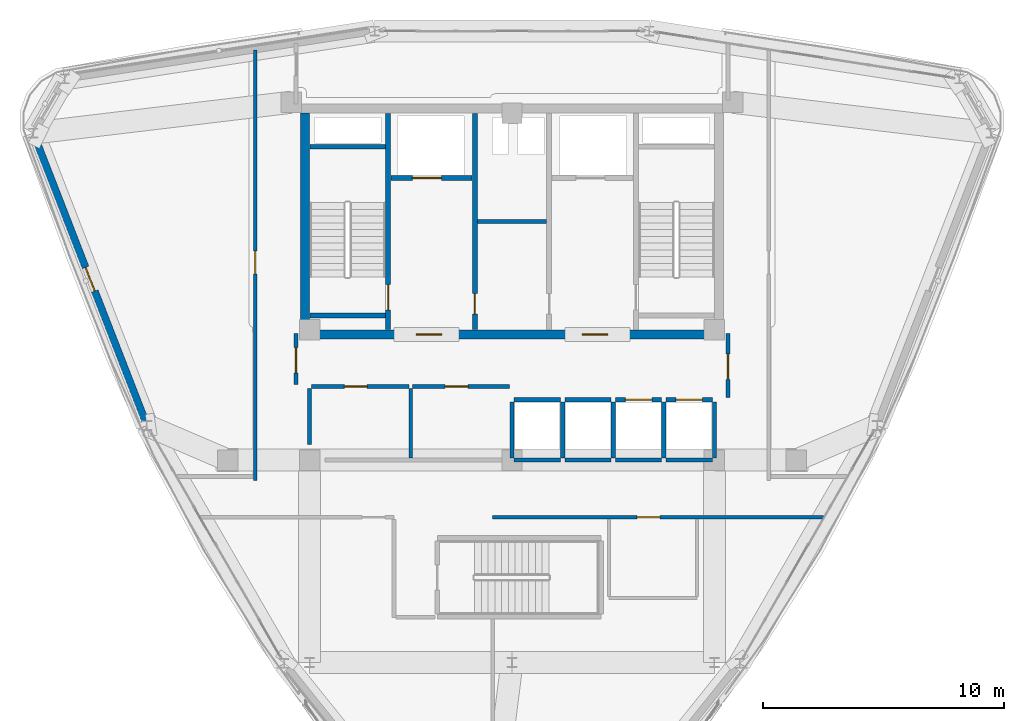
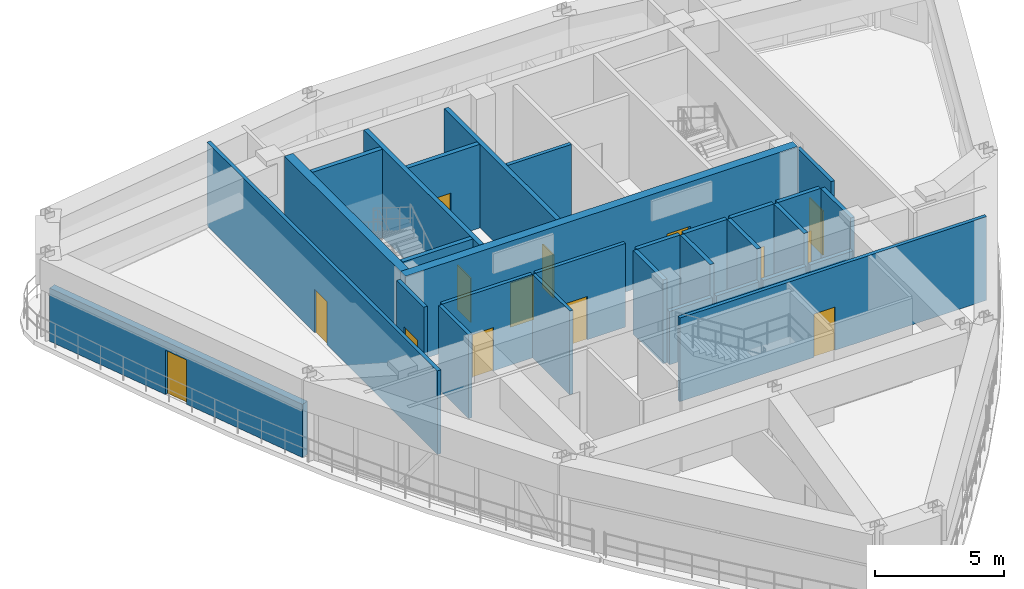
# One storey, part 13 of 18: 30 walls, 14 doors, 14 openings.
"""IFC4 building model written with IfcOpenShell, lengths in metres."""

import ifcopenshell
import ifcopenshell.guid

model = None  # the IFC model being written
_history = None  # IfcOwnerHistory: only IFC2X3 demands one
_inside = {}  # id of a spatial element -> (the spatial element, [elements in it])
_under = {}  # id of a project, library or spatial element -> (it, [spatial elements below it])
_declared = {}  # id of a project -> (the project, [libraries it declares])
_typed = {}  # id of a type object -> (the type object, [elements of that type])
_made_of = {}  # id of a material, layer set ... -> (it, [elements and type objects made of it])


def new_model(schema):
    """Start an empty IFC model of exactly this schema.

    Asked for "IFC4X3", IfcOpenShell would pick the latest addendum, in which some entities
    have other attributes; the version numbers below select the first issue.
    IFC2X3 requires an IfcOwnerHistory on every rooted entity: one is made here for all.
    """
    global model, _history
    if schema == "IFC4X3":
        model = ifcopenshell.file(schema_version=(4, 3, 0, 0))
    else:
        model = ifcopenshell.file(schema=schema)
    _inside.clear()
    _under.clear()
    _declared.clear()
    _typed.clear()
    _made_of.clear()
    _history = None
    if model.schema == "IFC2X3":
        org = make("IfcOrganization", Name="unknown")
        user = make(
            "IfcPersonAndOrganization",
            ThePerson=make("IfcPerson", FamilyName="unknown"),
            TheOrganization=org,
        )
        app = make(
            "IfcApplication",
            ApplicationDeveloper=org,
            Version="unknown",
            ApplicationFullName="unknown",
            ApplicationIdentifier="unknown",
        )
        _history = make(
            "IfcOwnerHistory",
            OwningUser=user,
            OwningApplication=app,
            ChangeAction="ADDED",
            CreationDate=0,
        )
    return model


def make(cls, **values):
    """One entity of the class cls with the attributes given. An attribute that is None is left unset."""
    return model.create_entity(
        cls, **{name: value for name, value in values.items() if value is not None}
    )


def rooted(cls, **values):
    """An entity with a GlobalId (a new one), such as an element, a storey or a relation."""
    return make(cls, GlobalId=ifcopenshell.guid.new(), OwnerHistory=_history, **values)


def si_unit(unit_type, name, prefix=None):
    """IfcSIUnit, for example si_unit("LENGTHUNIT", "METRE", prefix="MILLI")."""
    return make("IfcSIUnit", UnitType=unit_type, Prefix=prefix, Name=name)


def derived_unit(unit_type, elements):
    """IfcDerivedUnit: a product of units, each with its exponent."""
    return make(
        "IfcDerivedUnit",
        Elements=[
            make("IfcDerivedUnitElement", Unit=unit, Exponent=power)
            for unit, power in elements
        ],
        UnitType=unit_type,
    )


def assignment(units):
    """IfcUnitAssignment: the units of a project."""
    return None if units is None else make("IfcUnitAssignment", Units=units)


def point(xyz):
    """IfcCartesianPoint."""
    return None if xyz is None else make("IfcCartesianPoint", Coordinates=xyz)


def direction(xyz):
    """IfcDirection."""
    return None if xyz is None else make("IfcDirection", DirectionRatios=xyz)


def frame(location, z_axis=None, x_axis=None):
    """IfcAxis2Placement3D, a coordinate frame: its origin and axes. An axis left out is left unset."""
    return make(
        "IfcAxis2Placement3D",
        Location=point(location),
        Axis=direction(z_axis),
        RefDirection=direction(x_axis),
    )


def frame_2d(location, x_axis=None):
    """IfcAxis2Placement2D, a coordinate frame in the plane: its origin and x axis."""
    return make(
        "IfcAxis2Placement2D", Location=point(location), RefDirection=direction(x_axis)
    )


def origin():
    """The frame at (0, 0, 0) with its axes left unset."""
    return frame((0.0, 0.0, 0.0))


def place(relative_to, where):
    """IfcLocalPlacement: puts the frame where relative to a parent placement (None: the world)."""
    return make(
        "IfcLocalPlacement", PlacementRelTo=relative_to, RelativePlacement=where
    )


def context(
    kind, dimensions, precision=None, world=None, true_north=None, identifier=None
):
    """IfcGeometricRepresentationContext, for example the 3D "Model" context."""
    return make(
        "IfcGeometricRepresentationContext",
        ContextIdentifier=identifier,
        ContextType=kind,
        CoordinateSpaceDimension=dimensions,
        Precision=precision,
        WorldCoordinateSystem=world,
        TrueNorth=true_north,
    )


def subcontext(parent, identifier, kind, view, scale=None):
    """IfcGeometricRepresentationSubContext, for example "Body" below "Model"."""
    return make(
        "IfcGeometricRepresentationSubContext",
        ContextIdentifier=identifier,
        ContextType=kind,
        ParentContext=parent,
        TargetScale=scale,
        TargetView=view,
    )


def project(units=None, contexts=None):
    """IfcProject with its units and contexts."""
    return rooted(
        "IfcProject",
        Name="project",
        RepresentationContexts=contexts,
        UnitsInContext=assignment(units),
    )


def spatial(cls, under=None, at=None, **own):
    """A site, building, storey or space (cls), placed at a placement, below another one or the project."""
    s = rooted(cls, ObjectPlacement=at, **own)
    if under is not None:
        _under.setdefault(under.id(), (under, []))[1].append(s)
    return s


def profile(cls, at=None, kind="AREA", **sizes):
    """A parametric profile (cls). Its sizes go by their IFC names, for example OverallWidth=200.0."""
    return make(cls, ProfileType=kind, Position=at, **sizes)


def rectangle(**sizes):
    """IfcRectangleProfileDef."""
    return profile("IfcRectangleProfileDef", **sizes)


def extrude(swept, where, along, depth):
    """IfcExtrudedAreaSolid: the profile swept, set in the frame where, extruded along a direction by depth."""
    return make(
        "IfcExtrudedAreaSolid",
        SweptArea=swept,
        Position=where,
        ExtrudedDirection=direction(along),
        Depth=depth,
    )


def shape(context_of_items, identifier, shape_type, items):
    """IfcShapeRepresentation: the items that make up one representation, for example the "Body"."""
    return make(
        "IfcShapeRepresentation",
        ContextOfItems=context_of_items,
        RepresentationIdentifier=identifier,
        RepresentationType=shape_type,
        Items=items,
    )


def material(Name=None, Category=None):
    """IfcMaterial."""
    return make("IfcMaterial", Name=Name, Category=Category)


def layer(
    of_material, thickness, ventilated=None, Name=None, Category=None, Priority=None
):
    """IfcMaterialLayer: one layer of a wall or slab, of a material (None: an air gap)."""
    return make(
        "IfcMaterialLayer",
        Material=of_material,
        LayerThickness=thickness,
        IsVentilated=ventilated,
        Name=Name,
        Category=Category,
        Priority=Priority,
    )


def layer_set(layers, Name=None):
    """IfcMaterialLayerSet."""
    return make("IfcMaterialLayerSet", MaterialLayers=layers, LayerSetName=Name)


def made_of(thing, what):
    """Note that an element or type object is made of a material, layer set ...; save() writes the relation."""
    if what is not None:
        _made_of.setdefault(what.id(), (what, []))[1].append(thing)
    return thing


def type_object(cls, material=None, **own):
    """A type object (cls), such as IfcWallType, which elements share."""
    return made_of(rooted(cls, **own), material)


def element(
    cls,
    number,
    at=None,
    inside=None,
    cuts=None,
    type_object=None,
    material=None,
    context=None,
    identifier="Body",
    shape_type=None,
    held_by="IfcProductDefinitionShape",
    body=None,
    shapes=None,
    **own,
):
    """One element of the class cls, such as IfcWall. Its Tag is "e" and its number.

    at: its placement. inside: the storey or other place that contains it. cuts: it is an
    opening in that element (IfcRelVoidsElement). A single representation is given by context,
    identifier, shape_type and body (its items); several are given by shapes. held_by: the class
    of the entity that holds the representations. save() writes the other relations.
    """
    e = rooted(cls, Tag="e%d" % number, ObjectPlacement=at, **own)
    if body is not None:
        shapes = [shape(context, identifier, shape_type, body)]
    if shapes is not None:
        e.Representation = make(held_by, Representations=shapes)
    if inside is not None:
        _inside.setdefault(inside.id(), (inside, []))[1].append(e)
    if cuts is not None:
        rooted(
            "IfcRelVoidsElement", RelatingBuildingElement=cuts, RelatedOpeningElement=e
        )
    if type_object is not None:
        _typed.setdefault(type_object.id(), (type_object, []))[1].append(e)
    return made_of(e, material)


def fill(opening, filler):
    """IfcRelFillsElement: the door or window that sits in an opening."""
    return rooted(
        "IfcRelFillsElement",
        RelatingOpeningElement=opening,
        RelatedBuildingElement=filler,
    )


def aggregate(whole, parts):
    """IfcRelAggregates: a whole, such as a stair, and the parts it consists of."""
    return rooted("IfcRelAggregates", RelatingObject=whole, RelatedObjects=parts)


def save(model, path):
    """Write the relations noted so far, then the file.

    IfcRelAggregates (storeys below a building ...), IfcRelContainedInSpatialStructure (elements
    in a storey), IfcRelDefinesByType, IfcRelAssociatesMaterial and IfcRelDeclares: one each for
    every whole, place, type object, material and project.
    """
    for whole, parts in _under.values():
        aggregate(whole, parts)
    for where, things in _inside.values():
        rooted(
            "IfcRelContainedInSpatialStructure",
            RelatedElements=things,
            RelatingStructure=where,
        )
    for kind, things in _typed.values():
        rooted("IfcRelDefinesByType", RelatedObjects=things, RelatingType=kind)
    for what, things in _made_of.values():
        rooted("IfcRelAssociatesMaterial", RelatedObjects=things, RelatingMaterial=what)
    for by, libraries in _declared.values():
        rooted("IfcRelDeclares", RelatingContext=by, RelatedDefinitions=libraries)
    model.write(path)


model = new_model("IFC4")

# Units and contexts
model_context = context("Model", 3, precision=1e-05, world=origin(), true_north=direction((0.0, 1.0)))
body_context = subcontext(model_context, "Body", "Model", "MODEL_VIEW")
ifc_project = project(units=[si_unit("LENGTHUNIT", "METRE"), si_unit("AREAUNIT", "SQUARE_METRE"), si_unit("VOLUMEUNIT", "CUBIC_METRE"), si_unit("PLANEANGLEUNIT", "RADIAN"), si_unit("MASSUNIT", "GRAM", prefix="KILO"), derived_unit("THERMALTRANSMITTANCEUNIT", [(si_unit("POWERUNIT", "WATT"), 1), (si_unit("LENGTHUNIT", "METRE"), -2), (si_unit("THERMODYNAMICTEMPERATUREUNIT", "KELVIN"), -1)])], contexts=[model_context])

# Site, building, storey
site_placement = place(None, origin())
site = spatial("IfcSite", under=ifc_project, at=site_placement, CompositionType="ELEMENT")
building_placement = place(site_placement, origin())
building = spatial("IfcBuilding", under=site, at=building_placement, Name="Korsvarv Bourse and Concert Hall", CompositionType="ELEMENT")
storey_placement = place(building_placement, frame((0.0, 0.0, 275.39990234375)))
storey = spatial("IfcBuildingStorey", under=building, at=storey_placement, Name="L72", CompositionType="ELEMENT", Elevation=275.39990234375)

# Wall, openings, doors
ifc_material_1 = material(Name="Concrete C50/60", Category="concrete")
ifc_layer_1 = layer(ifc_material_1, 0.3798828125)
ifc_layer_set_1 = layer_set([ifc_layer_1], Name="Concrete C50/60")
wall_type_1 = type_object("IfcWallType", Name="WL-CORE-380", PredefinedType="SHEAR", material=ifc_layer_set_1)
wall_1_placement = place(storey_placement, frame((27.219970703125, 37.610107421875, 0.0), z_axis=(0.0, 0.0, 1.0), x_axis=(1.0, 0.0, 0.0)))
wall_1 = element("IfcWall", 1, at=wall_1_placement, inside=storey, type_object=wall_type_1, Name="L72 South Core Shear Wall", PredefinedType="SHEAR", context=body_context, shape_type="SweptSolid", body=[
    extrude(rectangle(XDim=17.56005859375, YDim=0.3798828125, at=frame_2d((8.780029296875, 0.0))), origin(), (0.0, 0.0, 1.0), 4.2001953125),
])
opening_1_placement = place(wall_1_placement, frame((4.804931640625, 0.0, 0.0)))
opening_1 = element("IfcOpeningElement", 2, at=opening_1_placement, cuts=wall_1, Name="Opening D-01", PredefinedType="OPENING", context=body_context, shape_type="SweptSolid", body=[
    extrude(rectangle(XDim=1.050048828125, YDim=2.10009765625, at=frame_2d((0.52490234375, 1.050048828125))), frame((0.0, 0.199951171875, 0.0), z_axis=(0.0, -1.0, 0.0), x_axis=(1.0, 0.0, 0.0)), (0.0, 0.0, 1.0), 0.39990234375),
])
opening_2_placement = place(wall_1_placement, frame((11.705078125, 0.0, 0.0)))
opening_2 = element("IfcOpeningElement", 3, at=opening_2_placement, cuts=wall_1, Name="Opening D-01", PredefinedType="OPENING", context=body_context, shape_type="SweptSolid", body=[
    extrude(rectangle(XDim=1.050048828125, YDim=2.10009765625, at=frame_2d((0.52490234375, 1.050048828125))), frame((0.0, 0.199951171875, 0.0), z_axis=(0.0, -1.0, 0.0), x_axis=(1.0, 0.0, 0.0)), (0.0, 0.0, 1.0), 0.39990234375),
])
ifc_material_2 = material(Name="Steel S355 fire door", Category="steel")
door_type_1 = type_object("IfcDoorType", Name="DR-FD60", OperationType="NOTDEFINED", PredefinedType="DOOR", material=ifc_material_2)
door_1_placement = place(opening_1_placement, frame((1.050048828125, 0.0, 0.0), z_axis=(0.0, 0.0, 1.0), x_axis=(-1.0, 0.0, 0.0)))
door_1 = element("IfcDoor", 4, at=door_1_placement, inside=storey, type_object=door_type_1, Name="L72 firefighting lobby fire door DR-L72-FFLW", OperationType="SINGLE_SWING_RIGHT", OverallHeight=2.10009765625, OverallWidth=1.050048828125, PredefinedType="DOOR", context=body_context, shape_type="SweptSolid", body=[
    extrude(rectangle(XDim=1.050048828125, YDim=2.10009765625, at=frame_2d((0.52490234375, 1.050048828125))), frame((0.0, 0.02490234375, 0.0), z_axis=(0.0, -1.0, 0.0), x_axis=(1.0, 0.0, 0.0)), (0.0, 0.0, 1.0), 0.050048828125),
])
fill(opening_1, door_1)
door_2_placement = place(opening_2_placement, frame((1.050048828125, 0.0, 0.0), z_axis=(0.0, 0.0, 1.0), x_axis=(-1.0, 0.0, 0.0)))
door_2 = element("IfcDoor", 5, at=door_2_placement, inside=storey, type_object=door_type_1, Name="L72 firefighting lobby fire door DR-L72-FFLE", OperationType="SINGLE_SWING_LEFT", OverallHeight=2.10009765625, OverallWidth=1.050048828125, PredefinedType="DOOR", context=body_context, shape_type="SweptSolid", body=[
    extrude(rectangle(XDim=1.050048828125, YDim=2.10009765625, at=frame_2d((0.52490234375, 1.050048828125))), frame((0.0, 0.02490234375, 0.0), z_axis=(0.0, -1.0, 0.0), x_axis=(1.0, 0.0, 0.0)), (0.0, 0.0, 1.0), 0.050048828125),
])
fill(opening_2, door_2)

# Wall
wall_2_placement = place(storey_placement, frame((27.409912109375, 37.800048828125, 0.0), z_axis=(0.0, 0.0, 1.0), x_axis=(0.0, 1.0, 0.0)))
element("IfcWall", 6, at=wall_2_placement, inside=storey, type_object=wall_type_1, Name="L72 West Core Shear Wall", PredefinedType="SHEAR", context=body_context, shape_type="SweptSolid", body=[
    extrude(rectangle(XDim=9.0, YDim=0.3798828125, at=frame_2d((4.5, 0.0))), origin(), (0.0, 0.0, 1.0), 4.2001953125),
])

# Wall, opening, door
wall_3_placement = place(storey_placement, frame((30.860107421875, 37.81005859375, 0.0), z_axis=(0.0, 0.0, 1.0), x_axis=(0.0, 1.0, 0.0)))
wall_3 = element("IfcWall", 7, at=wall_3_placement, inside=storey, type_object=wall_type_1, Name="L72 stair shaft structural wall W-L72-ST1-E", PredefinedType="SHEAR", context=body_context, shape_type="SweptSolid", body=[
    extrude(rectangle(XDim=8.97998046875, YDim=0.199951171875, at=frame_2d((4.489990234375, 0.0))), origin(), (0.0, 0.0, 1.0), 4.2001953125),
])
opening_3_placement = place(wall_3_placement, frame((0.820068359375, 0.0, 0.0)))
opening_3 = element("IfcOpeningElement", 8, at=opening_3_placement, cuts=wall_3, Name="Opening D-01", PredefinedType="OPENING", context=body_context, shape_type="SweptSolid", body=[
    extrude(rectangle(XDim=1.050048828125, YDim=2.10009765625, at=frame_2d((0.52490234375, 1.050048828125))), frame((0.0, 0.10986328125, 0.0), z_axis=(0.0, -1.0, 0.0), x_axis=(1.0, 0.0, 0.0)), (0.0, 0.0, 1.0), 0.219970703125),
])
door_3_placement = place(opening_3_placement, origin())
door_3 = element("IfcDoor", 9, at=door_3_placement, inside=storey, type_object=door_type_1, Name="L72 interior door DR-L72-ST1", OperationType="SINGLE_SWING_LEFT", OverallHeight=2.10009765625, OverallWidth=1.050048828125, PredefinedType="DOOR", context=body_context, shape_type="SweptSolid", body=[
    extrude(rectangle(XDim=1.050048828125, YDim=2.10009765625, at=frame_2d((0.52490234375, 1.050048828125))), frame((0.0, 0.02490234375, 0.0), z_axis=(0.0, -1.0, 0.0), x_axis=(1.0, 0.0, 0.0)), (0.0, 0.0, 1.0), 0.050048828125),
])
fill(opening_3, door_3)

# Walls
for number, where, z_axis, x_axis, name in (
    (10, (27.610107421875, 45.39990234375, 0.0), (0.0, 0.0, 1.0), (1.0, 0.0, 0.0), "L72 stair shaft structural wall W-L72-ST1-N"),
    (11, (27.610107421875, 38.39990234375, 0.0), (0.0, 0.0, 1.0), (1.0, 0.0, 0.0), "L72 stair shaft structural wall W-L72-ST1-S"),
):
    element("IfcWall", number, at=place(storey_placement, frame(where, z_axis=z_axis, x_axis=x_axis)), inside=storey, type_object=wall_type_1, Name=name, PredefinedType="SHEAR", context=body_context, shape_type="SweptSolid", body=[
        extrude(rectangle(XDim=3.139892578125, YDim=0.199951171875, at=frame_2d((1.56982421875, 0.0))), origin(), (0.0, 0.0, 1.0), 4.2001953125),
    ])

# Wall, opening, door
ifc_material_3 = material(Name="Precast concrete C45/55 with terracotta rainscreen", Category="concrete")
ifc_layer_2 = layer(ifc_material_3, 0.300048828125)
ifc_layer_set_2 = layer_set([ifc_layer_2], Name="Precast concrete C45/55 with terracotta rainscreen")
wall_type_2 = type_object("IfcWallType", Name="WL-EXT-TC1", PredefinedType="SOLIDWALL", material=ifc_layer_set_2)
wall_4_placement = place(storey_placement, frame((16.21630859375, 45.76318359375, 0.0), z_axis=(0.0, 0.0, 1.0), x_axis=(0.362340410402, -0.932045828803, 0.0)))
wall_4 = element("IfcWall", 12, at=wall_4_placement, inside=storey, type_object=wall_type_2, Name="L72 terracotta exterior wall EW-L72-B06", PredefinedType="SOLIDWALL", context=body_context, shape_type="SweptSolid", body=[
    extrude(rectangle(XDim=12.57763671875, YDim=0.300048828125, at=frame_2d((6.288818359375, 0.0))), origin(), (0.0, 0.0, 1.0), 2.52001953125),
])
opening_4_placement = place(wall_4_placement, frame((5.763916015625, 0.0, 0.0)))
opening_4 = element("IfcOpeningElement", 13, at=opening_4_placement, cuts=wall_4, Name="Opening ED-02", PredefinedType="OPENING", context=body_context, shape_type="SweptSolid", body=[
    extrude(rectangle(XDim=1.050048828125, YDim=2.10009765625, at=frame_2d((0.52490234375, 1.050048828125))), frame((0.0, 0.16015625, 0.0), z_axis=(0.0, -1.0, 0.0), x_axis=(1.0, 0.0, 0.0)), (0.0, 0.0, 1.0), 0.320068359375),
])
ifc_material_4 = material(Name="Thermally broken anodised aluminium and laminated safety glass", Category="aluminium")
door_type_2 = type_object("IfcDoorType", Name="DR-EXT-TERR", OperationType="NOTDEFINED", PredefinedType="DOOR", material=ifc_material_4)
door_4_placement = place(opening_4_placement, frame((1.050048828125, 0.0, 0.0), z_axis=(0.0, 0.0, 1.0), x_axis=(-1.0, 0.0, 0.0)))
door_4 = element("IfcDoor", 14, at=door_4_placement, inside=storey, type_object=door_type_2, Name="L72 Sky Garden Terrace Access Door", OperationType="SINGLE_SWING_RIGHT", OverallHeight=2.10009765625, OverallWidth=1.050048828125, PredefinedType="DOOR", context=body_context, shape_type="SweptSolid", body=[
    extrude(rectangle(XDim=1.050048828125, YDim=2.10009765625, at=frame_2d((0.52490234375, 1.050048828125))), frame((0.0, 0.02490234375, 0.0), z_axis=(0.0, -1.0, 0.0), x_axis=(1.0, 0.0, 0.0)), (0.0, 0.0, 1.0), 0.050048828125),
])
fill(opening_4, door_4)

ifc_material_5 = material(Name="Reinforced concrete blockwork C35/45 fire wall", Category="concrete")
ifc_layer_3 = layer(ifc_material_5, 0.199951171875)
ifc_layer_set_3 = layer_set([ifc_layer_3], Name="Reinforced concrete blockwork C35/45 fire wall")
wall_type_3 = type_object("IfcWallType", Name="WL-INT-EI120", PredefinedType="PARTITIONING", material=ifc_layer_set_3)
wall_5_placement = place(storey_placement, frame((30.969970703125, 44.10009765625, 0.0), z_axis=(0.0, 0.0, 1.0), x_axis=(1.0, 0.0, 0.0)))
wall_5 = element("IfcWall", 15, at=wall_5_placement, inside=storey, type_object=wall_type_3, Name="L72 interior partition wall W-L72-FF1-S", PredefinedType="PARTITIONING", context=body_context, shape_type="SweptSolid", body=[
    extrude(rectangle(XDim=3.380126953125, YDim=0.199951171875, at=frame_2d((1.68994140625, 0.0))), origin(), (0.0, 0.0, 1.0), 3.960205078125),
])
opening_5_placement = place(wall_5_placement, frame((0.89990234375, 0.0, 0.0)))
opening_5 = element("IfcOpeningElement", 16, at=opening_5_placement, cuts=wall_5, Name="Opening LD-1", PredefinedType="OPENING", context=body_context, shape_type="SweptSolid", body=[
    extrude(rectangle(XDim=1.199951171875, YDim=2.10009765625, at=frame_2d((0.60009765625, 1.050048828125))), frame((0.0, 0.10986328125, 0.0), z_axis=(0.0, -1.0, 0.0), x_axis=(1.0, 0.0, 0.0)), (0.0, 0.0, 1.0), 0.219970703125),
])
ifc_material_6 = material(Name="Stainless Steel S355 firefighting lift landing door", Category="steel")
door_type_3 = type_object("IfcDoorType", Name="DR-LIFT-FF", OperationType="DOUBLE_DOOR_SLIDING", PredefinedType="DOOR", material=ifc_material_6)
door_5_placement = place(opening_5_placement, origin())
door_5 = element("IfcDoor", 17, at=door_5_placement, inside=storey, type_object=door_type_3, Name="L72 lift sliding landing door LD-L72-FF1", OperationType="DOUBLE_DOOR_SLIDING", OverallHeight=2.10009765625, OverallWidth=1.199951171875, PredefinedType="DOOR", context=body_context, shape_type="SweptSolid", body=[
    extrude(rectangle(XDim=1.199951171875, YDim=2.10009765625, at=frame_2d((0.60009765625, 1.050048828125))), frame((0.0, 0.02490234375, 0.0), z_axis=(0.0, -1.0, 0.0), x_axis=(1.0, 0.0, 0.0)), (0.0, 0.0, 1.0), 0.050048828125),
])
fill(opening_5, door_5)

wall_6_placement = place(storey_placement, frame((34.4599609375, 37.81005859375, 0.0), z_axis=(0.0, 0.0, 1.0), x_axis=(0.0, 1.0, 0.0)))
wall_6 = element("IfcWall", 18, at=wall_6_placement, inside=storey, type_object=wall_type_3, Name="L72 interior partition wall W-L72-CSB-W", PredefinedType="PARTITIONING", context=body_context, shape_type="SweptSolid", body=[
    extrude(rectangle(XDim=8.97998046875, YDim=0.199951171875, at=frame_2d((4.489990234375, 0.0))), origin(), (0.0, 0.0, 1.0), 3.960205078125),
])
opening_6_placement = place(wall_6_placement, frame((0.64990234375, 0.0, 0.0)))
opening_6 = element("IfcOpeningElement", 19, at=opening_6_placement, cuts=wall_6, Name="Opening D-05", PredefinedType="OPENING", context=body_context, shape_type="SweptSolid", body=[
    extrude(rectangle(XDim=0.85009765625, YDim=2.050048828125, at=frame_2d((0.425048828125, 1.02490234375))), frame((0.0, 0.10986328125, 0.0), z_axis=(0.0, -1.0, 0.0), x_axis=(1.0, 0.0, 0.0)), (0.0, 0.0, 1.0), 0.219970703125),
])
door_type_4 = type_object("IfcDoorType", Name="DR-FD60-850X2050", OperationType="NOTDEFINED", PredefinedType="DOOR", material=ifc_material_2)
door_6_placement = place(opening_6_placement, frame((0.85009765625, 0.0, 0.0), z_axis=(0.0, 0.0, 1.0), x_axis=(-1.0, 0.0, 0.0)))
door_6 = element("IfcDoor", 20, at=door_6_placement, inside=storey, type_object=door_type_4, Name="L72 interior door DR-L72-CSB1", OperationType="SINGLE_SWING_LEFT", OverallHeight=2.050048828125, OverallWidth=0.85009765625, PredefinedType="DOOR", context=body_context, shape_type="SweptSolid", body=[
    extrude(rectangle(XDim=0.85009765625, YDim=2.050048828125, at=frame_2d((0.425048828125, 1.02490234375))), frame((0.0, 0.02490234375, 0.0), z_axis=(0.0, -1.0, 0.0), x_axis=(1.0, 0.0, 0.0)), (0.0, 0.0, 1.0), 0.050048828125),
])
fill(opening_6, door_6)

# Walls
ifc_material_7 = material(Name="Double-stud fire-rated acoustic partition", Category="gypsum")
ifc_layer_4 = layer(ifc_material_7, 0.159912109375)
ifc_layer_set_4 = layer_set([ifc_layer_4], Name="Double-stud fire-rated acoustic partition")
wall_type_4 = type_object("IfcWallType", Name="WL-INT-EI60", PredefinedType="PARTITIONING", material=ifc_layer_set_4)
wall_7_placement = place(storey_placement, frame((34.570068359375, 42.300048828125, 0.0), z_axis=(0.0, 0.0, 1.0), x_axis=(1.0, 0.0, 0.0)))
element("IfcWall", 21, at=wall_7_placement, inside=storey, type_object=wall_type_4, Name="L72 interior partition wall W-L72-K1", PredefinedType="PARTITIONING", context=body_context, shape_type="SweptSolid", body=[
    extrude(rectangle(XDim=2.85986328125, YDim=0.159912109375, at=frame_2d((1.429931640625, 0.0))), origin(), (0.0, 0.0, 1.0), 3.960205078125),
])
wall_8_placement = place(storey_placement, frame((27.60009765625, 33.050048828125, 0.0), z_axis=(0.0, 0.0, 1.0), x_axis=(0.0, 1.0, 0.0)))
element("IfcWall", 22, at=wall_8_placement, inside=storey, type_object=wall_type_4, Name="L72 interior partition wall W-L72-FRD-W", PredefinedType="PARTITIONING", context=body_context, shape_type="SweptSolid", body=[
    extrude(rectangle(XDim=2.31005859375, YDim=0.159912109375, at=frame_2d((1.155029296875, 0.0))), origin(), (0.0, 0.0, 1.0), 3.960205078125),
])

# Wall, opening, door
wall_9_placement = place(storey_placement, frame((27.68994140625, 35.449951171875, 0.0), z_axis=(0.0, 0.0, 1.0), x_axis=(1.0, 0.0, 0.0)))
wall_9 = element("IfcWall", 23, at=wall_9_placement, inside=storey, type_object=wall_type_4, Name="L72 interior partition wall W-L72-FRD-N1", PredefinedType="PARTITIONING", context=body_context, shape_type="SweptSolid", body=[
    extrude(rectangle(XDim=4.030029296875, YDim=0.159912109375, at=frame_2d((2.01513671875, 0.0))), origin(), (0.0, 0.0, 1.0), 3.960205078125),
])
opening_7_placement = place(wall_9_placement, frame((1.35009765625, 0.0, 0.0)))
opening_7 = element("IfcOpeningElement", 24, at=opening_7_placement, cuts=wall_9, Name="Opening D-03", PredefinedType="OPENING", context=body_context, shape_type="SweptSolid", body=[
    extrude(rectangle(XDim=0.949951171875, YDim=2.050048828125, at=frame_2d((0.47509765625, 1.02490234375))), frame((0.0, 0.08984375, 0.0), z_axis=(0.0, -1.0, 0.0), x_axis=(1.0, 0.0, 0.0)), (0.0, 0.0, 1.0), 0.179931640625),
])
ifc_material_8 = material(Name="Nordic oak acoustic office door", Category="wood")
door_type_5 = type_object("IfcDoorType", Name="DR-INT-1", OperationType="NOTDEFINED", PredefinedType="DOOR", material=ifc_material_8)
door_7_placement = place(opening_7_placement, origin())
door_7 = element("IfcDoor", 25, at=door_7_placement, inside=storey, type_object=door_type_5, Name="L72 interior door DR-L72-FRDN1", OperationType="SINGLE_SWING_LEFT", OverallHeight=2.050048828125, OverallWidth=0.949951171875, PredefinedType="DOOR", context=body_context, shape_type="SweptSolid", body=[
    extrude(rectangle(XDim=0.949951171875, YDim=2.050048828125, at=frame_2d((0.47509765625, 1.02490234375))), frame((0.0, 0.02490234375, 0.0), z_axis=(0.0, -1.0, 0.0), x_axis=(1.0, 0.0, 0.0)), (0.0, 0.0, 1.0), 0.050048828125),
])
fill(opening_7, door_7)

wall_10_placement = place(storey_placement, frame((31.8798828125, 35.449951171875, 0.0), z_axis=(0.0, 0.0, 1.0), x_axis=(1.0, 0.0, 0.0)))
wall_10 = element("IfcWall", 26, at=wall_10_placement, inside=storey, type_object=wall_type_4, Name="L72 interior partition wall W-L72-FRD-N2", PredefinedType="PARTITIONING", context=body_context, shape_type="SweptSolid", body=[
    extrude(rectangle(XDim=4.02001953125, YDim=0.159912109375, at=frame_2d((2.010009765625, 0.0))), origin(), (0.0, 0.0, 1.0), 3.960205078125),
])
opening_8_placement = place(wall_10_placement, frame((1.35009765625, 0.0, 0.0)))
opening_8 = element("IfcOpeningElement", 27, at=opening_8_placement, cuts=wall_10, Name="Opening D-03", PredefinedType="OPENING", context=body_context, shape_type="SweptSolid", body=[
    extrude(rectangle(XDim=0.949951171875, YDim=2.050048828125, at=frame_2d((0.47509765625, 1.02490234375))), frame((0.0, 0.08984375, 0.0), z_axis=(0.0, -1.0, 0.0), x_axis=(1.0, 0.0, 0.0)), (0.0, 0.0, 1.0), 0.179931640625),
])
door_8_placement = place(opening_8_placement, origin())
door_8 = element("IfcDoor", 28, at=door_8_placement, inside=storey, type_object=door_type_5, Name="L72 interior door DR-L72-FRDN2", OperationType="SINGLE_SWING_RIGHT", OverallHeight=2.050048828125, OverallWidth=0.949951171875, PredefinedType="DOOR", context=body_context, shape_type="SweptSolid", body=[
    extrude(rectangle(XDim=0.949951171875, YDim=2.050048828125, at=frame_2d((0.47509765625, 1.02490234375))), frame((0.0, 0.02490234375, 0.0), z_axis=(0.0, -1.0, 0.0), x_axis=(1.0, 0.0, 0.0)), (0.0, 0.0, 1.0), 0.050048828125),
])
fill(opening_8, door_8)

wall_11_placement = place(storey_placement, frame((27.0400390625, 35.5400390625, 0.0), z_axis=(0.0, 0.0, 1.0), x_axis=(0.0, 1.0, 0.0)))
wall_11 = element("IfcWall", 29, at=wall_11_placement, inside=storey, type_object=wall_type_4, Name="L72 interior partition wall W-L72-LOB-WL", PredefinedType="PARTITIONING", context=body_context, shape_type="SweptSolid", body=[
    extrude(rectangle(XDim=2.10986328125, YDim=0.159912109375, at=frame_2d((1.054931640625, 0.0))), origin(), (0.0, 0.0, 1.0), 3.960205078125),
])
opening_9_placement = place(wall_11_placement, frame((0.47998046875, 0.0, 0.0)))
opening_9 = element("IfcOpeningElement", 30, at=opening_9_placement, cuts=wall_11, Name="Opening D-01", PredefinedType="OPENING", context=body_context, shape_type="SweptSolid", body=[
    extrude(rectangle(XDim=1.050048828125, YDim=2.10009765625, at=frame_2d((0.52490234375, 1.050048828125))), frame((0.0, 0.08984375, 0.0), z_axis=(0.0, -1.0, 0.0), x_axis=(1.0, 0.0, 0.0)), (0.0, 0.0, 1.0), 0.179931640625),
])
door_9_placement = place(opening_9_placement, frame((1.050048828125, 0.0, 0.0), z_axis=(0.0, 0.0, 1.0), x_axis=(-1.0, 0.0, 0.0)))
door_9 = element("IfcDoor", 31, at=door_9_placement, inside=storey, type_object=door_type_1, Name="L72 interior door DR-L72-LOBW", OperationType="SINGLE_SWING_LEFT", OverallHeight=2.10009765625, OverallWidth=1.050048828125, PredefinedType="DOOR", context=body_context, shape_type="SweptSolid", body=[
    extrude(rectangle(XDim=1.050048828125, YDim=2.10009765625, at=frame_2d((0.52490234375, 1.050048828125))), frame((0.0, 0.02490234375, 0.0), z_axis=(0.0, -1.0, 0.0), x_axis=(1.0, 0.0, 0.0)), (0.0, 0.0, 1.0), 0.050048828125),
])
fill(opening_9, door_9)

wall_12_placement = place(storey_placement, frame((44.9599609375, 35.0, 0.0), z_axis=(0.0, 0.0, 1.0), x_axis=(0.0, 1.0, 0.0)))
wall_12 = element("IfcWall", 32, at=wall_12_placement, inside=storey, type_object=wall_type_4, Name="L72 interior partition wall W-L72-LOB-E", PredefinedType="PARTITIONING", context=body_context, shape_type="SweptSolid", body=[
    extrude(rectangle(XDim=2.64990234375, YDim=0.159912109375, at=frame_2d((1.324951171875, 0.0))), origin(), (0.0, 0.0, 1.0), 3.960205078125),
])
opening_10_placement = place(wall_12_placement, frame((0.75, 0.0, 0.0)))
opening_10 = element("IfcOpeningElement", 33, at=opening_10_placement, cuts=wall_12, Name="Opening D-01", PredefinedType="OPENING", context=body_context, shape_type="SweptSolid", body=[
    extrude(rectangle(XDim=1.050048828125, YDim=2.10009765625, at=frame_2d((0.52490234375, 1.050048828125))), frame((0.0, 0.08984375, 0.0), z_axis=(0.0, -1.0, 0.0), x_axis=(1.0, 0.0, 0.0)), (0.0, 0.0, 1.0), 0.179931640625),
])
door_10_placement = place(opening_10_placement, origin())
door_10 = element("IfcDoor", 34, at=door_10_placement, inside=storey, type_object=door_type_1, Name="L72 interior door DR-L72-LOBE", OperationType="SINGLE_SWING_RIGHT", OverallHeight=2.10009765625, OverallWidth=1.050048828125, PredefinedType="DOOR", context=body_context, shape_type="SweptSolid", body=[
    extrude(rectangle(XDim=1.050048828125, YDim=2.10009765625, at=frame_2d((0.52490234375, 1.050048828125))), frame((0.0, 0.02490234375, 0.0), z_axis=(0.0, -1.0, 0.0), x_axis=(1.0, 0.0, 0.0)), (0.0, 0.0, 1.0), 0.050048828125),
])
fill(opening_10, door_10)

wall_13_placement = place(storey_placement, frame((25.344970703125, 31.56005859375, 0.0), z_axis=(0.0, 0.0, 1.0), x_axis=(0.0, 1.0, 0.0)))
wall_13 = element("IfcWall", 35, at=wall_13_placement, inside=storey, type_object=wall_type_4, Name="L72 interior partition wall W-L72-LKCOR-02", PredefinedType="PARTITIONING", context=body_context, shape_type="SweptSolid", body=[
    extrude(rectangle(XDim=17.8564453125, YDim=0.159912109375, at=frame_2d((8.92822265625, 0.0))), origin(), (0.0, 0.0, 1.0), 3.960205078125),
])
opening_11_placement = place(wall_13_placement, frame((8.561767578125, 0.0, 0.0)))
opening_11 = element("IfcOpeningElement", 36, at=opening_11_placement, cuts=wall_13, Name="Opening D-02", PredefinedType="OPENING", context=body_context, shape_type="SweptSolid", body=[
    extrude(rectangle(XDim=0.949951171875, YDim=2.050048828125, at=frame_2d((0.47509765625, 1.02490234375))), frame((0.0, 0.08984375, 0.0), z_axis=(0.0, -1.0, 0.0), x_axis=(1.0, 0.0, 0.0)), (0.0, 0.0, 1.0), 0.179931640625),
])
ifc_material_9 = material(Name="Timber and steel acoustic fire door", Category="wood")
door_type_6 = type_object("IfcDoorType", Name="DR-FD30", OperationType="NOTDEFINED", PredefinedType="DOOR", material=ifc_material_9)
door_11_placement = place(opening_11_placement, origin())
door_11 = element("IfcDoor", 37, at=door_11_placement, inside=storey, type_object=door_type_6, Name="L72 interior door DR-L72-LKCOR-LKW5", OperationType="SINGLE_SWING_LEFT", OverallHeight=2.050048828125, OverallWidth=0.949951171875, PredefinedType="DOOR", context=body_context, shape_type="SweptSolid", body=[
    extrude(rectangle(XDim=0.949951171875, YDim=2.050048828125, at=frame_2d((0.47509765625, 1.02490234375))), frame((0.0, 0.02490234375, 0.0), z_axis=(0.0, -1.0, 0.0), x_axis=(1.0, 0.0, 0.0)), (0.0, 0.0, 1.0), 0.050048828125),
])
fill(opening_11, door_11)

wall_14_placement = place(storey_placement, frame((35.18994140625, 30.02490234375, 0.0), z_axis=(0.0, 0.0, 1.0), x_axis=(1.0, 0.0, 0.0)))
wall_14 = element("IfcWall", 38, at=wall_14_placement, inside=storey, type_object=wall_type_4, Name="L72 interior partition wall W-L72-LKCOR-03", PredefinedType="PARTITIONING", context=body_context, shape_type="SweptSolid", body=[
    extrude(rectangle(XDim=13.73681640625, YDim=0.159912109375, at=frame_2d((6.868408203125, 0.0))), origin(), (0.0, 0.0, 1.0), 3.960205078125),
])
opening_12_placement = place(wall_14_placement, frame((5.995849609375, 0.0, 0.0)))
opening_12 = element("IfcOpeningElement", 39, at=opening_12_placement, cuts=wall_14, Name="Opening D-02", PredefinedType="OPENING", context=body_context, shape_type="SweptSolid", body=[
    extrude(rectangle(XDim=0.949951171875, YDim=2.050048828125, at=frame_2d((0.47509765625, 1.02490234375))), frame((0.0, 0.08984375, 0.0), z_axis=(0.0, -1.0, 0.0), x_axis=(1.0, 0.0, 0.0)), (0.0, 0.0, 1.0), 0.179931640625),
])
door_12_placement = place(opening_12_placement, origin())
door_12 = element("IfcDoor", 40, at=door_12_placement, inside=storey, type_object=door_type_6, Name="L72 interior door DR-L72-LKCOR-RWC", OperationType="SINGLE_SWING_RIGHT", OverallHeight=2.050048828125, OverallWidth=0.949951171875, PredefinedType="DOOR", context=body_context, shape_type="SweptSolid", body=[
    extrude(rectangle(XDim=0.949951171875, YDim=2.050048828125, at=frame_2d((0.47509765625, 1.02490234375))), frame((0.0, 0.02490234375, 0.0), z_axis=(0.0, -1.0, 0.0), x_axis=(1.0, 0.0, 0.0)), (0.0, 0.0, 1.0), 0.050048828125),
])
fill(opening_12, door_12)

# Walls
ifc_material_10 = material(Name="Gypsum-clad autoclaved concrete shaft wall C30/37", Category="concrete")
ifc_layer_5 = layer(ifc_material_10, 0.179931640625)
ifc_layer_set_5 = layer_set([ifc_layer_5], Name="Gypsum-clad autoclaved concrete shaft wall C30/37")
wall_type_5 = type_object("IfcWallType", Name="WL-INT-EI90", PredefinedType="PARTITIONING", material=ifc_layer_set_5)
wall_15_placement = place(storey_placement, frame((36.090087890625, 34.89990234375, 0.0), z_axis=(0.0, 0.0, 1.0), x_axis=(1.0, 0.0, 0.0)))
element("IfcWall", 41, at=wall_15_placement, inside=storey, type_object=wall_type_5, Name="L72 interior partition wall W-L72-SHFN-PH1", PredefinedType="PARTITIONING", context=body_context, shape_type="SweptSolid", body=[
    extrude(rectangle(XDim=1.919921875, YDim=0.179931640625, at=frame_2d((0.9599609375, 0.0))), origin(), (0.0, 0.0, 1.0), 3.960205078125),
])
wall_16_placement = place(storey_placement, frame((36.090087890625, 32.39990234375, 0.0), z_axis=(0.0, 0.0, 1.0), x_axis=(1.0, 0.0, 0.0)))
element("IfcWall", 42, at=wall_16_placement, inside=storey, type_object=wall_type_5, Name="L72 interior partition wall W-L72-SHFS-PH1", PredefinedType="PARTITIONING", context=body_context, shape_type="SweptSolid", body=[
    extrude(rectangle(XDim=1.919921875, YDim=0.179931640625, at=frame_2d((0.9599609375, 0.0))), origin(), (0.0, 0.0, 1.0), 2.52001953125),
])
wall_17_placement = place(storey_placement, frame((36.0, 32.489990234375, 0.0), z_axis=(0.0, 0.0, 1.0), x_axis=(0.0, 1.0, 0.0)))
element("IfcWall", 43, at=wall_17_placement, inside=storey, type_object=wall_type_5, Name="L72 interior partition wall W-L72-SHFW-PH1", PredefinedType="PARTITIONING", context=body_context, shape_type="SweptSolid", body=[
    extrude(rectangle(XDim=2.320068359375, YDim=0.179931640625, at=frame_2d((1.16015625, 0.0))), origin(), (0.0, 0.0, 1.0), 3.960205078125),
])
wall_18_placement = place(storey_placement, frame((38.18994140625, 34.89990234375, 0.0), z_axis=(0.0, 0.0, 1.0), x_axis=(1.0, 0.0, 0.0)))
element("IfcWall", 44, at=wall_18_placement, inside=storey, type_object=wall_type_5, Name="L72 interior partition wall W-L72-SHFN-PH2", PredefinedType="PARTITIONING", context=body_context, shape_type="SweptSolid", body=[
    extrude(rectangle(XDim=1.920166015625, YDim=0.179931640625, at=frame_2d((0.9599609375, 0.0))), origin(), (0.0, 0.0, 1.0), 3.960205078125),
])
wall_19_placement = place(storey_placement, frame((38.18994140625, 32.39990234375, 0.0), z_axis=(0.0, 0.0, 1.0), x_axis=(1.0, 0.0, 0.0)))
element("IfcWall", 45, at=wall_19_placement, inside=storey, type_object=wall_type_5, Name="L72 interior partition wall W-L72-SHFS-PH2", PredefinedType="PARTITIONING", context=body_context, shape_type="SweptSolid", body=[
    extrude(rectangle(XDim=1.920166015625, YDim=0.179931640625, at=frame_2d((0.9599609375, 0.0))), origin(), (0.0, 0.0, 1.0), 2.52001953125),
])
wall_20_placement = place(storey_placement, frame((38.10009765625, 32.489990234375, 0.0), z_axis=(0.0, 0.0, 1.0), x_axis=(0.0, 1.0, 0.0)))
element("IfcWall", 46, at=wall_20_placement, inside=storey, type_object=wall_type_5, Name="L72 interior partition wall W-L72-SHFW-PH2", PredefinedType="PARTITIONING", context=body_context, shape_type="SweptSolid", body=[
    extrude(rectangle(XDim=2.320068359375, YDim=0.179931640625, at=frame_2d((1.16015625, 0.0))), origin(), (0.0, 0.0, 1.0), 3.960205078125),
])

# Wall, opening, door
wall_21_placement = place(storey_placement, frame((40.2900390625, 34.89990234375, 0.0), z_axis=(0.0, 0.0, 1.0), x_axis=(1.0, 0.0, 0.0)))
wall_21 = element("IfcWall", 47, at=wall_21_placement, inside=storey, type_object=wall_type_5, Name="L72 interior partition wall W-L72-SHFN-PO1", PredefinedType="PARTITIONING", context=body_context, shape_type="SweptSolid", body=[
    extrude(rectangle(XDim=1.919921875, YDim=0.179931640625, at=frame_2d((0.9599609375, 0.0))), origin(), (0.0, 0.0, 1.0), 3.960205078125),
])
opening_13_placement = place(wall_21_placement, frame((0.409912109375, 0.0, 0.0)))
opening_13 = element("IfcOpeningElement", 48, at=opening_13_placement, cuts=wall_21, Name="Opening LD-2", PredefinedType="OPENING", context=body_context, shape_type="SweptSolid", body=[
    extrude(rectangle(XDim=1.10009765625, YDim=2.10009765625, at=frame_2d((0.550048828125, 1.050048828125))), frame((0.0, 0.10009765625, 0.0), z_axis=(0.0, -1.0, 0.0), x_axis=(1.0, 0.0, 0.0)), (0.0, 0.0, 1.0), 0.199951171875),
])
ifc_material_11 = material(Name="Brushed stainless Steel S355 lift landing door", Category="steel")
door_type_7 = type_object("IfcDoorType", Name="DR-LIFT-P", OperationType="DOUBLE_DOOR_SLIDING", PredefinedType="DOOR", material=ifc_material_11)
door_13_placement = place(opening_13_placement, origin())
door_13 = element("IfcDoor", 49, at=door_13_placement, inside=storey, type_object=door_type_7, Name="L72 lift sliding landing door LD-L72-PO1", OperationType="DOUBLE_DOOR_SLIDING", OverallHeight=2.10009765625, OverallWidth=1.10009765625, PredefinedType="DOOR", context=body_context, shape_type="SweptSolid", body=[
    extrude(rectangle(XDim=1.10009765625, YDim=2.10009765625, at=frame_2d((0.550048828125, 1.050048828125))), frame((0.0, 0.02490234375, 0.0), z_axis=(0.0, -1.0, 0.0), x_axis=(1.0, 0.0, 0.0)), (0.0, 0.0, 1.0), 0.050048828125),
])
fill(opening_13, door_13)

# Walls
wall_22_placement = place(storey_placement, frame((40.2900390625, 32.39990234375, 0.0), z_axis=(0.0, 0.0, 1.0), x_axis=(1.0, 0.0, 0.0)))
element("IfcWall", 50, at=wall_22_placement, inside=storey, type_object=wall_type_5, Name="L72 interior partition wall W-L72-SHFS-PO1", PredefinedType="PARTITIONING", context=body_context, shape_type="SweptSolid", body=[
    extrude(rectangle(XDim=1.919921875, YDim=0.179931640625, at=frame_2d((0.9599609375, 0.0))), origin(), (0.0, 0.0, 1.0), 2.52001953125),
])
wall_23_placement = place(storey_placement, frame((40.199951171875, 32.489990234375, 0.0), z_axis=(0.0, 0.0, 1.0), x_axis=(0.0, 1.0, 0.0)))
element("IfcWall", 51, at=wall_23_placement, inside=storey, type_object=wall_type_5, Name="L72 interior partition wall W-L72-SHFW-PO1", PredefinedType="PARTITIONING", context=body_context, shape_type="SweptSolid", body=[
    extrude(rectangle(XDim=2.320068359375, YDim=0.179931640625, at=frame_2d((1.16015625, 0.0))), origin(), (0.0, 0.0, 1.0), 3.960205078125),
])

# Wall, opening, door
wall_24_placement = place(storey_placement, frame((42.389892578125, 34.89990234375, 0.0), z_axis=(0.0, 0.0, 1.0), x_axis=(1.0, 0.0, 0.0)))
wall_24 = element("IfcWall", 52, at=wall_24_placement, inside=storey, type_object=wall_type_5, Name="L72 interior partition wall W-L72-SHFN-PO2", PredefinedType="PARTITIONING", context=body_context, shape_type="SweptSolid", body=[
    extrude(rectangle(XDim=1.920166015625, YDim=0.179931640625, at=frame_2d((0.9599609375, 0.0))), origin(), (0.0, 0.0, 1.0), 3.960205078125),
])
opening_14_placement = place(wall_24_placement, frame((0.409912109375, 0.0, 0.0)))
opening_14 = element("IfcOpeningElement", 53, at=opening_14_placement, cuts=wall_24, Name="Opening LD-2", PredefinedType="OPENING", context=body_context, shape_type="SweptSolid", body=[
    extrude(rectangle(XDim=1.10009765625, YDim=2.10009765625, at=frame_2d((0.550048828125, 1.050048828125))), frame((0.0, 0.10009765625, 0.0), z_axis=(0.0, -1.0, 0.0), x_axis=(1.0, 0.0, 0.0)), (0.0, 0.0, 1.0), 0.199951171875),
])
door_14_placement = place(opening_14_placement, origin())
door_14 = element("IfcDoor", 54, at=door_14_placement, inside=storey, type_object=door_type_7, Name="L72 lift sliding landing door LD-L72-PO2", OperationType="DOUBLE_DOOR_SLIDING", OverallHeight=2.10009765625, OverallWidth=1.10009765625, PredefinedType="DOOR", context=body_context, shape_type="SweptSolid", body=[
    extrude(rectangle(XDim=1.10009765625, YDim=2.10009765625, at=frame_2d((0.550048828125, 1.050048828125))), frame((0.0, 0.02490234375, 0.0), z_axis=(0.0, -1.0, 0.0), x_axis=(1.0, 0.0, 0.0)), (0.0, 0.0, 1.0), 0.050048828125),
])
fill(opening_14, door_14)

# Walls
wall_25_placement = place(storey_placement, frame((42.389892578125, 32.39990234375, 0.0), z_axis=(0.0, 0.0, 1.0), x_axis=(1.0, 0.0, 0.0)))
element("IfcWall", 55, at=wall_25_placement, inside=storey, type_object=wall_type_5, Name="L72 interior partition wall W-L72-SHFS-PO2", PredefinedType="PARTITIONING", context=body_context, shape_type="SweptSolid", body=[
    extrude(rectangle(XDim=1.920166015625, YDim=0.179931640625, at=frame_2d((0.9599609375, 0.0))), origin(), (0.0, 0.0, 1.0), 2.52001953125),
])
for number, where, z_axis, x_axis, name in (
    (56, (42.300048828125, 32.489990234375, 0.0), (0.0, 0.0, 1.0), (0.0, 1.0, 0.0), "L72 interior partition wall W-L72-SHFW-PO2"),
    (57, (44.39990234375, 32.489990234375, 0.0), (0.0, 0.0, 1.0), (0.0, 1.0, 0.0), "L72 interior partition wall W-L72-SHFE-END"),
):
    element("IfcWall", number, at=place(storey_placement, frame(where, z_axis=z_axis, x_axis=x_axis)), inside=storey, type_object=wall_type_5, Name=name, PredefinedType="PARTITIONING", context=body_context, shape_type="SweptSolid", body=[
        extrude(rectangle(XDim=2.320068359375, YDim=0.179931640625, at=frame_2d((1.16015625, 0.0))), origin(), (0.0, 0.0, 1.0), 3.960205078125),
    ])
ifc_material_12 = material(Name="Insulated steel-stud office acoustic partition", Category="gypsum")
ifc_layer_6 = layer(ifc_material_12, 0.139892578125)
ifc_layer_set_6 = layer_set([ifc_layer_6], Name="Insulated steel-stud office acoustic partition")
wall_type_6 = type_object("IfcWallType", Name="WL-INT-P1", PredefinedType="PARTITIONING", material=ifc_layer_set_6)
wall_26_placement = place(storey_placement, frame((31.800048828125, 32.489990234375, 0.0), z_axis=(0.0, 0.0, 1.0), x_axis=(0.0, 1.0, 0.0)))
element("IfcWall", 58, at=wall_26_placement, inside=storey, type_object=wall_type_6, Name="L72 interior partition wall W-L72-FRD-V", PredefinedType="PARTITIONING", context=body_context, shape_type="SweptSolid", body=[
    extrude(rectangle(XDim=2.8701171875, YDim=0.139892578125, at=frame_2d((1.43505859375, 0.0))), origin(), (0.0, 0.0, 1.0), 3.960205078125),
])

save(model, "model.ifc")
